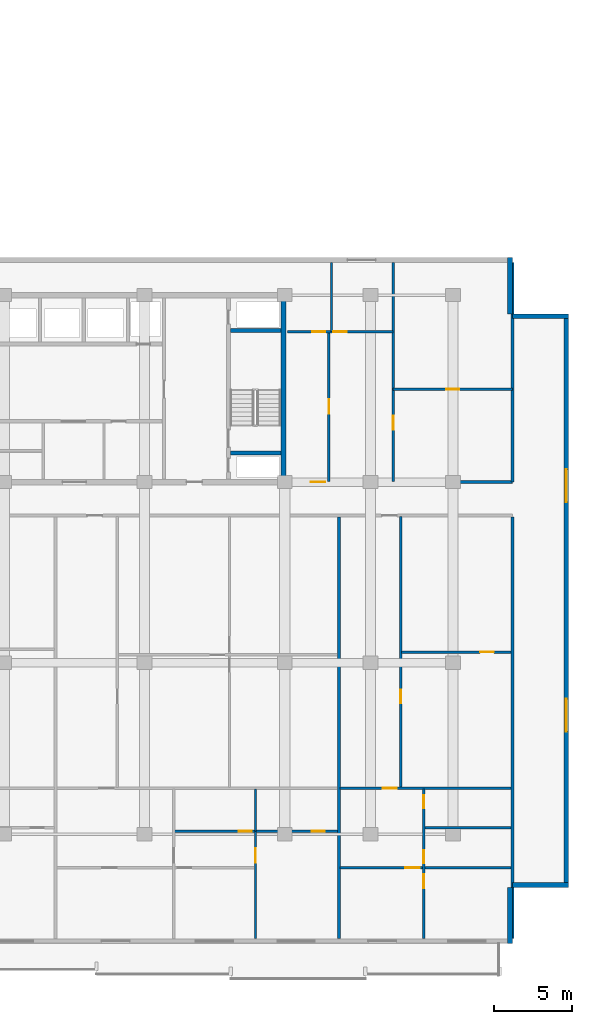
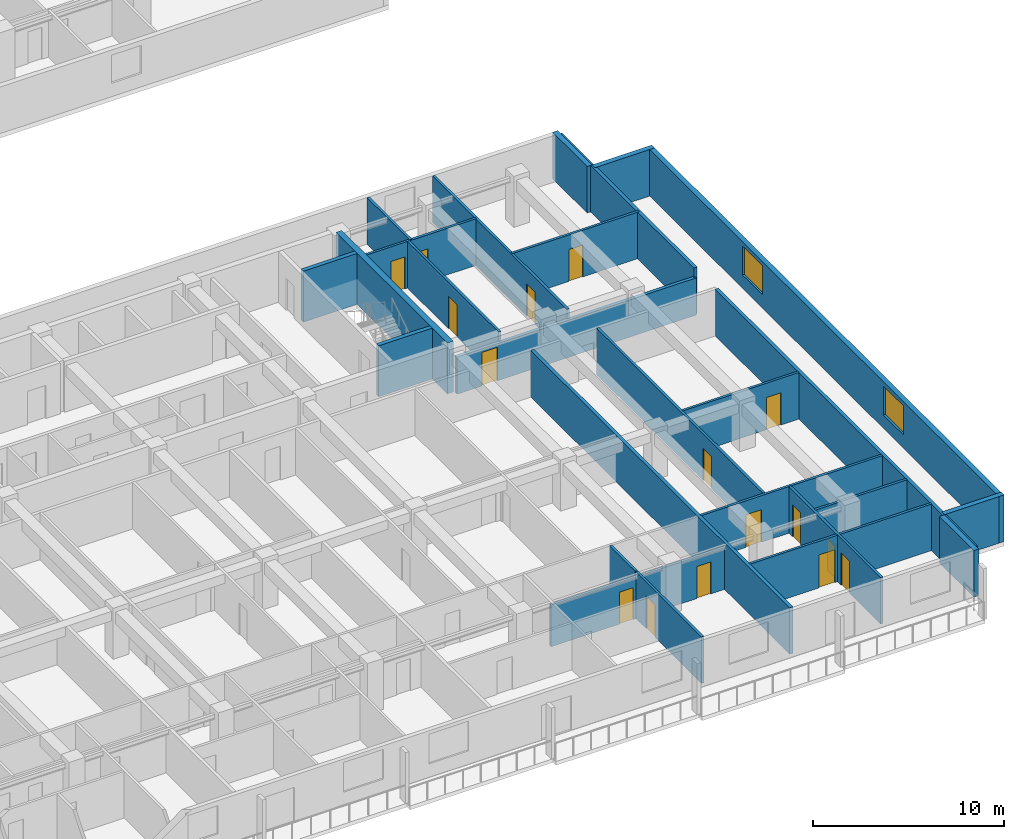
# One storey, part 8 of 23: 26 walls, 16 doors, 2 windows, 18 openings.
"""IFC4 building model written with IfcOpenShell, lengths in metres."""

from ifc_helpers import new_model, si_unit, direction, frame, frame_2d, origin, place, context, subcontext, project, spatial, rectangle, extrude, material, layer, layer_set, type_object, element, fill, save


model = new_model("IFC4")

# Units and contexts
model_context = context("Model", 3, precision=1e-05, world=origin(), true_north=direction((0.0, 1.0)))
body_context = subcontext(model_context, "Body", "Model", "MODEL_VIEW")
ifc_project = project(units=[si_unit("LENGTHUNIT", "METRE"), si_unit("AREAUNIT", "SQUARE_METRE"), si_unit("VOLUMEUNIT", "CUBIC_METRE"), si_unit("PLANEANGLEUNIT", "RADIAN"), si_unit("MASSUNIT", "GRAM", prefix="KILO")], contexts=[model_context])

# Site, building, storey
site_placement = place(None, origin())
site = spatial("IfcSite", under=ifc_project, at=site_placement, CompositionType="ELEMENT")
building_placement = place(site_placement, origin())
building = spatial("IfcBuilding", under=site, at=building_placement, Name="Korimba Cascade Residences", CompositionType="ELEMENT")
storey_placement = place(building_placement, frame((0.0, 0.0, 50.0)))
storey = spatial("IfcBuildingStorey", under=building, at=storey_placement, Name="L13", CompositionType="ELEMENT", Elevation=50.0)

# Walls
ifc_material_1 = material(Name="Precast concrete C40/50", Category="concrete")
ifc_layer_1 = layer(ifc_material_1, 0.300048828125)
ifc_layer_set_1 = layer_set([ifc_layer_1], Name="Precast concrete C40/50")
wall_type_1 = type_object("IfcWallType", Name="EW-STONE-300", PredefinedType="STANDARD", material=ifc_layer_set_1)
wall_1_placement = place(storey_placement, frame((132.550048828125, -11.199951171875, 0.0), z_axis=(0.0, 0.0, 1.0), x_axis=(0.0, 1.0, 0.0)))
element("IfcWall", 1, at=wall_1_placement, inside=storey, type_object=wall_type_1, Name="L13 T2 Perimeter Stone Wall E01", PredefinedType="STANDARD", context=body_context, shape_type="SweptSolid", body=[
    extrude(rectangle(XDim=3.599853515625, YDim=0.300048828125, at=frame_2d((1.7998046875, 0.0))), origin(), (0.0, 0.0, 1.0), 2.969970703125),
])
wall_2_placement = place(storey_placement, frame((132.699951171875, -7.449951171875, 0.0), z_axis=(0.0, 0.0, 1.0), x_axis=(1.0, 0.0, 0.0)))
element("IfcWall", 2, at=wall_2_placement, inside=storey, type_object=wall_type_1, Name="L13 T2 Perimeter Stone Wall E02", PredefinedType="STANDARD", context=body_context, shape_type="SweptSolid", body=[
    extrude(rectangle(XDim=3.60009765625, YDim=0.300048828125, at=frame_2d((1.800048828125, 0.0))), origin(), (0.0, 0.0, 1.0), 2.969970703125),
])

# Wall, openings, windows
wall_3_placement = place(storey_placement, frame((136.14990234375, -7.60009765625, 0.0), z_axis=(0.0, 0.0, 1.0), x_axis=(0.0, 1.0, 0.0)))
wall_3 = element("IfcWall", 3, at=wall_3_placement, inside=storey, type_object=wall_type_1, Name="L13 T2 Perimeter Stone Wall E03", PredefinedType="STANDARD", context=body_context, shape_type="SweptSolid", body=[
    extrude(rectangle(XDim=36.800048828125, YDim=0.300048828125, at=frame_2d((18.39990234375, 0.0))), origin(), (0.0, 0.0, 1.0), 2.969970703125),
])
opening_1_placement = place(wall_3_placement, frame((9.989990234375, 0.0, 0.85009765625)))
opening_1 = element("IfcOpeningElement", 4, at=opening_1_placement, cuts=wall_3, Name="Opening W-03", PredefinedType="OPENING", context=body_context, shape_type="SweptSolid", body=[
    extrude(rectangle(XDim=2.10009765625, YDim=1.85009765625, at=frame_2d((1.050048828125, 0.925048828125))), frame((0.0, 0.16015625, 0.0), z_axis=(0.0, -1.0, 0.0), x_axis=(1.0, 0.0, 0.0)), (0.0, 0.0, 1.0), 0.320068359375),
])
opening_2_placement = place(wall_3_placement, frame((24.7099609375, 0.0, 0.85009765625)))
opening_2 = element("IfcOpeningElement", 5, at=opening_2_placement, cuts=wall_3, Name="Opening W-03", PredefinedType="OPENING", context=body_context, shape_type="SweptSolid", body=[
    extrude(rectangle(XDim=2.10009765625, YDim=1.85009765625, at=frame_2d((1.050048828125, 0.925048828125))), frame((0.0, 0.16015625, 0.0), z_axis=(0.0, -1.0, 0.0), x_axis=(1.0, 0.0, 0.0)), (0.0, 0.0, 1.0), 0.320068359375),
])
ifc_material_2 = material(Name="Double-Glazed Aluminium Window", Category="aluminium")
window_type = type_object("IfcWindowType", Name="WIN-CRN-2100", PartitioningType="DOUBLE_PANEL_HORIZONTAL", PredefinedType="WINDOW", material=ifc_material_2)
window_1_placement = place(opening_1_placement, origin())
window_1 = element("IfcWindow", 6, at=window_1_placement, inside=storey, type_object=window_type, Name="L13 T2 End View Window 3.1", OverallHeight=1.85009765625, OverallWidth=2.10009765625, PartitioningType="DOUBLE_PANEL_HORIZONTAL", PredefinedType="WINDOW", context=body_context, shape_type="SweptSolid", body=[
    extrude(rectangle(XDim=2.10009765625, YDim=1.85009765625, at=frame_2d((1.050048828125, 0.925048828125))), frame((0.0, 0.030029296875, 0.0), z_axis=(0.0, -1.0, 0.0), x_axis=(1.0, 0.0, 0.0)), (0.0, 0.0, 1.0), 0.06005859375),
])
fill(opening_1, window_1)
window_2_placement = place(opening_2_placement, origin())
window_2 = element("IfcWindow", 7, at=window_2_placement, inside=storey, type_object=window_type, Name="L13 T2 End View Window 3.2", OverallHeight=1.85009765625, OverallWidth=2.10009765625, PartitioningType="DOUBLE_PANEL_HORIZONTAL", PredefinedType="WINDOW", context=body_context, shape_type="SweptSolid", body=[
    extrude(rectangle(XDim=2.10009765625, YDim=1.85009765625, at=frame_2d((1.050048828125, 0.925048828125))), frame((0.0, 0.030029296875, 0.0), z_axis=(0.0, -1.0, 0.0), x_axis=(1.0, 0.0, 0.0)), (0.0, 0.0, 1.0), 0.06005859375),
])
fill(opening_2, window_2)

# Walls
for number, where, z_axis, x_axis, name in (
    (8, (136.300048828125, 29.050048828125, 0.0), (0.0, 0.0, 1.0), (-1.0, 0.0, 0.0), "L13 T2 Perimeter Stone Wall E04"),
    (9, (132.550048828125, 29.199951171875, 0.0), (0.0, 0.0, 1.0), (0.0, 1.0, 0.0), "L13 T2 Perimeter Stone Wall E05"),
):
    element("IfcWall", number, at=place(storey_placement, frame(where, z_axis=z_axis, x_axis=x_axis)), inside=storey, type_object=wall_type_1, Name=name, PredefinedType="STANDARD", context=body_context, shape_type="SweptSolid", body=[
        extrude(rectangle(XDim=3.60009765625, YDim=0.300048828125, at=frame_2d((1.800048828125, 0.0))), origin(), (0.0, 0.0, 1.0), 2.969970703125),
    ])
ifc_material_3 = material(Name="Concrete C65/80", Category="concrete")
ifc_layer_2 = layer(ifc_material_3, 0.35009765625)
ifc_layer_set_2 = layer_set([ifc_layer_2], Name="Concrete C65/80")
wall_type_2 = type_object("IfcWallType", Name="WAL-CORE-350", PredefinedType="SHEAR", material=ifc_layer_set_2)
wall_4_placement = place(storey_placement, frame((118.014892578125, 18.574951171875, 0.0), z_axis=(0.0, 0.0, 1.0), x_axis=(0.0, 1.0, 0.0)))
element("IfcWall", 10, at=wall_4_placement, inside=storey, type_object=wall_type_2, Name="L13 Core Shear Wall CW-L13-T2-E", PredefinedType="SHEAR", context=body_context, shape_type="SweptSolid", body=[
    extrude(rectangle(XDim=11.650146484375, YDim=0.35009765625, at=frame_2d((5.8251953125, 0.0))), origin(), (0.0, 0.0, 1.0), 3.25),
])
ifc_layer_3 = layer(ifc_material_1, 0.199951171875)
ifc_layer_set_3 = layer_set([ifc_layer_3], Name="Precast concrete C40/50")
wall_type_3 = type_object("IfcWallType", Name="WAL-IT-200", PredefinedType="PARTITIONING", material=ifc_layer_set_3)
wall_5_placement = place(storey_placement, frame((132.699951171875, 18.39990234375, 0.0), z_axis=(0.0, 0.0, 1.0), x_axis=(0.0, 1.0, 0.0)))
element("IfcWall", 11, at=wall_5_placement, inside=storey, type_object=wall_type_3, Name="L13 Partition Wall WAL-L13-T2-FE-WR", PredefinedType="PARTITIONING", context=body_context, shape_type="SweptSolid", body=[
    extrude(rectangle(XDim=14.10009765625, YDim=0.199951171875, at=frame_2d((7.050048828125, 0.0))), origin(), (0.0, 0.0, 1.0), 2.969970703125),
])

# Wall, opening, door
wall_6_placement = place(storey_placement, frame((118.25, 18.39990234375, 0.0), z_axis=(0.0, 0.0, 1.0), x_axis=(1.0, 0.0, 0.0)))
wall_6 = element("IfcWall", 12, at=wall_6_placement, inside=storey, type_object=wall_type_3, Name="L13 Partition Wall WAL-L13-T2-FE-S", PredefinedType="PARTITIONING", context=body_context, shape_type="SweptSolid", body=[
    extrude(rectangle(XDim=14.449951171875, YDim=0.199951171875, at=frame_2d((7.22509765625, 0.0))), origin(), (0.0, 0.0, 1.0), 2.3701171875),
])
opening_3_placement = place(wall_6_placement, frame((1.510009765625, 0.0, 0.0)))
opening_3 = element("IfcOpeningElement", 13, at=opening_3_placement, cuts=wall_6, Name="Opening D-UN1", PredefinedType="OPENING", context=body_context, shape_type="SweptSolid", body=[
    extrude(rectangle(XDim=0.949951171875, YDim=2.14990234375, at=frame_2d((0.47509765625, 1.074951171875))), frame((0.0, 0.10986328125, 0.0), z_axis=(0.0, -1.0, 0.0), x_axis=(1.0, 0.0, 0.0)), (0.0, 0.0, 1.0), 0.219970703125),
])
ifc_material_4 = material(Name="Fire-Rated Hardwood Apartment Entrance Door", Category="wood")
door_type_1 = type_object("IfcDoorType", Name="DR-FD60-950", OperationType="NOTDEFINED", PredefinedType="DOOR", material=ifc_material_4)
door_1_placement = place(opening_3_placement, origin())
door_1 = element("IfcDoor", 14, at=door_1_placement, inside=storey, type_object=door_type_1, Name="L13-T2-FE Entrance Door", OperationType="SINGLE_SWING_LEFT", OverallHeight=2.14990234375, OverallWidth=0.949951171875, PredefinedType="DOOR", context=body_context, shape_type="SweptSolid", body=[
    extrude(rectangle(XDim=0.949951171875, YDim=2.14990234375, at=frame_2d((0.47509765625, 1.074951171875))), frame((0.0, 0.02490234375, 0.0), z_axis=(0.0, -1.0, 0.0), x_axis=(1.0, 0.0, 0.0)), (0.0, 0.0, 1.0), 0.050048828125),
])
fill(opening_3, door_1)

# Walls
for number, where, z_axis, x_axis, name in (
    (15, (132.699951171875, -10.89990234375, 0.0), (0.0, 0.0, 1.0), (0.0, 1.0, 0.0), "L13 Partition Wall WAL-L13-T2-BNDWR"),
    (16, (121.570068359375, -10.89990234375, 0.0), (0.0, 0.0, 1.0), (0.0, 1.0, 0.0), "L13 Partition Wall WAL-L13-T2-DEM-3"),
):
    element("IfcWall", number, at=place(storey_placement, frame(where, z_axis=z_axis, x_axis=x_axis)), inside=storey, type_object=wall_type_3, Name=name, PredefinedType="PARTITIONING", context=body_context, shape_type="SweptSolid", body=[
        extrude(rectangle(XDim=27.06982421875, YDim=0.199951171875, at=frame_2d((13.534912109375, 0.0))), origin(), (0.0, 0.0, 1.0), 2.969970703125),
    ])

# Wall, opening, door
ifc_material_5 = material(Name="Insulated Acoustic Stud Partition", Category="gypsum")
ifc_layer_4 = layer(ifc_material_5, 0.14990234375)
ifc_layer_set_4 = layer_set([ifc_layer_4], Name="Insulated Acoustic Stud Partition")
wall_type_4 = type_object("IfcWallType", Name="WAL-PART-150", PredefinedType="PARTITIONING", material=ifc_layer_set_4)
wall_7_placement = place(storey_placement, frame((125.050048828125, 24.35009765625, 0.0), z_axis=(0.0, 0.0, 1.0), x_axis=(1.0, 0.0, 0.0)))
wall_7 = element("IfcWall", 17, at=wall_7_placement, inside=storey, type_object=wall_type_4, Name="L13 Partition Wall WAL-L13-T2-FE-STH", PredefinedType="PARTITIONING", context=body_context, shape_type="SweptSolid", body=[
    extrude(rectangle(XDim=7.64990234375, YDim=0.14990234375, at=frame_2d((3.824951171875, 0.0))), origin(), (0.0, 0.0, 1.0), 2.969970703125),
])
opening_4_placement = place(wall_7_placement, frame((3.405029296875, 0.0, 0.0)))
opening_4 = element("IfcOpeningElement", 18, at=opening_4_placement, cuts=wall_7, Name="Opening D-BT1", PredefinedType="OPENING", context=body_context, shape_type="SweptSolid", body=[
    extrude(rectangle(XDim=0.840087890625, YDim=2.0400390625, at=frame_2d((0.419921875, 1.02001953125))), frame((0.0, 0.0849609375, 0.0), z_axis=(0.0, -1.0, 0.0), x_axis=(1.0, 0.0, 0.0)), (0.0, 0.0, 1.0), 0.169921875),
])
ifc_material_6 = material(Name="Moisture-Resistant Bathroom Timber Door", Category="wood")
door_type_2 = type_object("IfcDoorType", Name="DR-INT-850", OperationType="NOTDEFINED", PredefinedType="DOOR", material=ifc_material_6)
door_2_placement = place(opening_4_placement, origin())
door_2 = element("IfcDoor", 19, at=door_2_placement, inside=storey, type_object=door_type_2, Name="L13-T2-FE Dressing Store Door", OperationType="SINGLE_SWING_RIGHT", OverallHeight=2.0400390625, OverallWidth=0.840087890625, PredefinedType="DOOR", context=body_context, shape_type="SweptSolid", body=[
    extrude(rectangle(XDim=0.840087890625, YDim=2.0400390625, at=frame_2d((0.419921875, 1.02001953125))), frame((0.0, 0.02490234375, 0.0), z_axis=(0.0, -1.0, 0.0), x_axis=(1.0, 0.0, 0.0)), (0.0, 0.0, 1.0), 0.050048828125),
])
fill(opening_4, door_2)

wall_8_placement = place(storey_placement, frame((125.050048828125, 18.449951171875, 0.0), z_axis=(0.0, 0.0, 1.0), x_axis=(0.0, 1.0, 0.0)))
wall_8 = element("IfcWall", 20, at=wall_8_placement, inside=storey, type_object=wall_type_4, Name="L13 Partition Wall WAL-L13-T2-FE-STV", PredefinedType="PARTITIONING", context=body_context, shape_type="SweptSolid", body=[
    extrude(rectangle(XDim=14.050048828125, YDim=0.14990234375, at=frame_2d((7.02490234375, 0.0))), origin(), (0.0, 0.0, 1.0), 2.969970703125),
])
opening_5_placement = place(wall_8_placement, frame((3.320068359375, 0.0, 0.0)))
opening_5 = element("IfcOpeningElement", 21, at=opening_5_placement, cuts=wall_8, Name="Opening D-IN2", PredefinedType="OPENING", context=body_context, shape_type="SweptSolid", body=[
    extrude(rectangle(XDim=0.8798828125, YDim=2.06005859375, at=frame_2d((0.43994140625, 1.030029296875))), frame((0.0, 0.0849609375, 0.0), z_axis=(0.0, -1.0, 0.0), x_axis=(1.0, 0.0, 0.0)), (0.0, 0.0, 1.0), 0.169921875),
])
ifc_material_7 = material(Name="Acoustic Timber Bedroom Door", Category="wood")
door_type_3 = type_object("IfcDoorType", Name="DR-INT-880", OperationType="NOTDEFINED", PredefinedType="DOOR", material=ifc_material_7)
door_3_placement = place(opening_5_placement, origin())
door_3 = element("IfcDoor", 22, at=door_3_placement, inside=storey, type_object=door_type_3, Name="L13-T2-FE Study Door", OperationType="SINGLE_SWING_LEFT", OverallHeight=2.06005859375, OverallWidth=0.8798828125, PredefinedType="DOOR", context=body_context, shape_type="SweptSolid", body=[
    extrude(rectangle(XDim=0.8798828125, YDim=2.06005859375, at=frame_2d((0.43994140625, 1.030029296875))), frame((0.0, 0.02490234375, 0.0), z_axis=(0.0, -1.0, 0.0), x_axis=(1.0, 0.0, 0.0)), (0.0, 0.0, 1.0), 0.050048828125),
])
fill(opening_5, door_3)

wall_9_placement = place(storey_placement, frame((120.929931640625, 18.449951171875, 0.0), z_axis=(0.0, 0.0, 1.0), x_axis=(0.0, 1.0, 0.0)))
wall_9 = element("IfcWall", 23, at=wall_9_placement, inside=storey, type_object=wall_type_4, Name="L13 Partition Wall WAL-L13-T2-FE-VS", PredefinedType="PARTITIONING", context=body_context, shape_type="SweptSolid", body=[
    extrude(rectangle(XDim=9.60009765625, YDim=0.14990234375, at=frame_2d((4.800048828125, 0.0))), origin(), (0.0, 0.0, 1.0), 2.969970703125),
])
opening_6_placement = place(wall_9_placement, frame((4.340087890625, 0.0, 0.0)))
opening_6 = element("IfcOpeningElement", 24, at=opening_6_placement, cuts=wall_9, Name="Opening D-IN1", PredefinedType="OPENING", context=body_context, shape_type="SweptSolid", body=[
    extrude(rectangle(XDim=0.919921875, YDim=2.080078125, at=frame_2d((0.4599609375, 1.0400390625))), frame((0.0, 0.0849609375, 0.0), z_axis=(0.0, -1.0, 0.0), x_axis=(1.0, 0.0, 0.0)), (0.0, 0.0, 1.0), 0.169921875),
])
ifc_material_8 = material(Name="Acoustic Timber Living Door", Category="wood")
door_type_4 = type_object("IfcDoorType", Name="DR-INT-920", OperationType="NOTDEFINED", PredefinedType="DOOR", material=ifc_material_8)
door_4_placement = place(opening_6_placement, origin())
door_4 = element("IfcDoor", 25, at=door_4_placement, inside=storey, type_object=door_type_4, Name="L13-T2-FE Living Door", OperationType="SINGLE_SWING_RIGHT", OverallHeight=2.080078125, OverallWidth=0.919921875, PredefinedType="DOOR", context=body_context, shape_type="SweptSolid", body=[
    extrude(rectangle(XDim=0.919921875, YDim=2.080078125, at=frame_2d((0.4599609375, 1.0400390625))), frame((0.0, 0.02490234375, 0.0), z_axis=(0.0, -1.0, 0.0), x_axis=(1.0, 0.0, 0.0)), (0.0, 0.0, 1.0), 0.050048828125),
])
fill(opening_6, door_4)

# Wall
wall_10_placement = place(storey_placement, frame((121.10009765625, 28.050048828125, 0.0), z_axis=(0.0, 0.0, 1.0), x_axis=(0.0, 1.0, 0.0)))
element("IfcWall", 26, at=wall_10_placement, inside=storey, type_object=wall_type_4, Name="L13 Partition Wall WAL-L13-T2-FE-VN", PredefinedType="PARTITIONING", context=body_context, shape_type="SweptSolid", body=[
    extrude(rectangle(XDim=4.449951171875, YDim=0.14990234375, at=frame_2d((2.22509765625, 0.0))), origin(), (0.0, 0.0, 1.0), 2.969970703125),
])

# Wall, openings, doors
wall_11_placement = place(storey_placement, frame((118.27001953125, 28.050048828125, 0.0), z_axis=(0.0, 0.0, 1.0), x_axis=(1.0, 0.0, 0.0)))
wall_11 = element("IfcWall", 27, at=wall_11_placement, inside=storey, type_object=wall_type_4, Name="L13 Partition Wall WAL-L13-T2-FE-H", PredefinedType="PARTITIONING", context=body_context, shape_type="SweptSolid", body=[
    extrude(rectangle(XDim=6.760009765625, YDim=0.14990234375, at=frame_2d((3.3798828125, 0.0))), origin(), (0.0, 0.0, 1.0), 2.969970703125),
])
opening_7_placement = place(wall_11_placement, frame((1.58740234375, 0.0, 0.0)))
opening_7 = element("IfcOpeningElement", 28, at=opening_7_placement, cuts=wall_11, Name="Opening D-BT1", PredefinedType="OPENING", context=body_context, shape_type="SweptSolid", body=[
    extrude(rectangle(XDim=0.840087890625, YDim=2.0400390625, at=frame_2d((0.419921875, 1.02001953125))), frame((0.0, 0.0849609375, 0.0), z_axis=(0.0, -1.0, 0.0), x_axis=(1.0, 0.0, 0.0)), (0.0, 0.0, 1.0), 0.169921875),
])
opening_8_placement = place(wall_11_placement, frame((2.93408203125, 0.0, 0.0)))
opening_8 = element("IfcOpeningElement", 29, at=opening_8_placement, cuts=wall_11, Name="Opening D-IN2", PredefinedType="OPENING", context=body_context, shape_type="SweptSolid", body=[
    extrude(rectangle(XDim=0.8798828125, YDim=2.06005859375, at=frame_2d((0.43994140625, 1.030029296875))), frame((0.0, 0.0849609375, 0.0), z_axis=(0.0, -1.0, 0.0), x_axis=(1.0, 0.0, 0.0)), (0.0, 0.0, 1.0), 0.169921875),
])
door_5_placement = place(opening_7_placement, origin())
door_5 = element("IfcDoor", 30, at=door_5_placement, inside=storey, type_object=door_type_2, Name="L13-T2-FE Bathroom Door", OperationType="SINGLE_SWING_LEFT", OverallHeight=2.0400390625, OverallWidth=0.840087890625, PredefinedType="DOOR", context=body_context, shape_type="SweptSolid", body=[
    extrude(rectangle(XDim=0.840087890625, YDim=2.0400390625, at=frame_2d((0.419921875, 1.02001953125))), frame((0.0, 0.02490234375, 0.0), z_axis=(0.0, -1.0, 0.0), x_axis=(1.0, 0.0, 0.0)), (0.0, 0.0, 1.0), 0.050048828125),
])
fill(opening_7, door_5)
door_6_placement = place(opening_8_placement, origin())
door_6 = element("IfcDoor", 31, at=door_6_placement, inside=storey, type_object=door_type_3, Name="L13-T2-FE Bedroom Door", OperationType="SINGLE_SWING_RIGHT", OverallHeight=2.06005859375, OverallWidth=0.8798828125, PredefinedType="DOOR", context=body_context, shape_type="SweptSolid", body=[
    extrude(rectangle(XDim=0.8798828125, YDim=2.06005859375, at=frame_2d((0.43994140625, 1.030029296875))), frame((0.0, 0.02490234375, 0.0), z_axis=(0.0, -1.0, 0.0), x_axis=(1.0, 0.0, 0.0)), (0.0, 0.0, 1.0), 0.050048828125),
])
fill(opening_8, door_6)

# Wall
wall_12_placement = place(storey_placement, frame((116.219970703125, -3.97998046875, 0.0), z_axis=(0.0, 0.0, 1.0), x_axis=(0.0, 1.0, 0.0)))
element("IfcWall", 32, at=wall_12_placement, inside=storey, type_object=wall_type_4, Name="L13 Partition Wall WAL-L13-T2-U03-VBATH", PredefinedType="PARTITIONING", context=body_context, shape_type="SweptSolid", body=[
    extrude(rectangle(XDim=2.68994140625, YDim=0.14990234375, at=frame_2d((1.344970703125, 0.0))), origin(), (0.0, 0.0, 1.0), 2.969970703125),
])

# Wall, opening, door
wall_13_placement = place(storey_placement, frame((116.219970703125, -10.89990234375, 0.0), z_axis=(0.0, 0.0, 1.0), x_axis=(0.0, 1.0, 0.0)))
wall_13 = element("IfcWall", 33, at=wall_13_placement, inside=storey, type_object=wall_type_4, Name="L13 Partition Wall WAL-L13-T2-U03-V2FULL", PredefinedType="PARTITIONING", context=body_context, shape_type="SweptSolid", body=[
    extrude(rectangle(XDim=6.8798828125, YDim=0.14990234375, at=frame_2d((3.43994140625, 0.0))), origin(), (0.0, 0.0, 1.0), 2.969970703125),
])
opening_9_placement = place(wall_13_placement, frame((4.8701171875, 0.0, 0.0)))
opening_9 = element("IfcOpeningElement", 34, at=opening_9_placement, cuts=wall_13, Name="Opening D-IN1", PredefinedType="OPENING", context=body_context, shape_type="SweptSolid", body=[
    extrude(rectangle(XDim=0.919921875, YDim=2.080078125, at=frame_2d((0.4599609375, 1.0400390625))), frame((0.0, 0.0849609375, 0.0), z_axis=(0.0, -1.0, 0.0), x_axis=(1.0, 0.0, 0.0)), (0.0, 0.0, 1.0), 0.169921875),
])
door_7_placement = place(opening_9_placement, origin())
door_7 = element("IfcDoor", 35, at=door_7_placement, inside=storey, type_object=door_type_4, Name="L13-T2-U03 Master Bedroom Door", OperationType="SINGLE_SWING_LEFT", OverallHeight=2.080078125, OverallWidth=0.919921875, PredefinedType="DOOR", context=body_context, shape_type="SweptSolid", body=[
    extrude(rectangle(XDim=0.919921875, YDim=2.080078125, at=frame_2d((0.4599609375, 1.0400390625))), frame((0.0, 0.02490234375, 0.0), z_axis=(0.0, -1.0, 0.0), x_axis=(1.0, 0.0, 0.0)), (0.0, 0.0, 1.0), 0.050048828125),
])
fill(opening_9, door_7)

# Wall, openings, doors
wall_14_placement = place(storey_placement, frame((111.02001953125, -4.0, 0.0), z_axis=(0.0, 0.0, 1.0), x_axis=(1.0, 0.0, 0.0)))
wall_14 = element("IfcWall", 36, at=wall_14_placement, inside=storey, type_object=wall_type_4, Name="L13 Partition Wall WAL-L13-T2-U03-HWALL", PredefinedType="PARTITIONING", context=body_context, shape_type="SweptSolid", body=[
    extrude(rectangle(XDim=10.469970703125, YDim=0.14990234375, at=frame_2d((5.23486328125, 0.0))), origin(), (0.0, 0.0, 1.0), 2.663330078125),
])
opening_10_placement = place(wall_14_placement, frame((4.110107421875, 0.0, 0.0)))
opening_10 = element("IfcOpeningElement", 37, at=opening_10_placement, cuts=wall_14, Name="Opening D-BT1", PredefinedType="OPENING", context=body_context, shape_type="SweptSolid", body=[
    extrude(rectangle(XDim=0.840087890625, YDim=2.0400390625, at=frame_2d((0.419921875, 1.02001953125))), frame((0.0, 0.0849609375, 0.0), z_axis=(0.0, -1.0, 0.0), x_axis=(1.0, 0.0, 0.0)), (0.0, 0.0, 1.0), 0.169921875),
])
opening_11_placement = place(wall_14_placement, frame((8.79541015625, 0.0, 0.0)))
opening_11 = element("IfcOpeningElement", 38, at=opening_11_placement, cuts=wall_14, Name="Opening D-BT1", PredefinedType="OPENING", context=body_context, shape_type="SweptSolid", body=[
    extrude(rectangle(XDim=0.840087890625, YDim=2.0400390625, at=frame_2d((0.419921875, 1.02001953125))), frame((0.0, 0.0849609375, 0.0), z_axis=(0.0, -1.0, 0.0), x_axis=(1.0, 0.0, 0.0)), (0.0, 0.0, 1.0), 0.169921875),
])
door_8_placement = place(opening_10_placement, origin())
door_8 = element("IfcDoor", 39, at=door_8_placement, inside=storey, type_object=door_type_2, Name="L13-T2-U03 Family Bathroom Door", OperationType="SINGLE_SWING_RIGHT", OverallHeight=2.0400390625, OverallWidth=0.840087890625, PredefinedType="DOOR", context=body_context, shape_type="SweptSolid", body=[
    extrude(rectangle(XDim=0.840087890625, YDim=2.0400390625, at=frame_2d((0.419921875, 1.02001953125))), frame((0.0, 0.02490234375, 0.0), z_axis=(0.0, -1.0, 0.0), x_axis=(1.0, 0.0, 0.0)), (0.0, 0.0, 1.0), 0.050048828125),
])
fill(opening_10, door_8)
door_9_placement = place(opening_11_placement, origin())
door_9 = element("IfcDoor", 40, at=door_9_placement, inside=storey, type_object=door_type_2, Name="L13-T2-U03 En-Suite Door", OperationType="SINGLE_SWING_LEFT", OverallHeight=2.0400390625, OverallWidth=0.840087890625, PredefinedType="DOOR", context=body_context, shape_type="SweptSolid", body=[
    extrude(rectangle(XDim=0.840087890625, YDim=2.0400390625, at=frame_2d((0.419921875, 1.02001953125))), frame((0.0, 0.02490234375, 0.0), z_axis=(0.0, -1.0, 0.0), x_axis=(1.0, 0.0, 0.0)), (0.0, 0.0, 1.0), 0.050048828125),
])
fill(opening_11, door_9)

# Wall, opening, door
wall_15_placement = place(storey_placement, frame((125.60009765625, 7.489990234375, 0.0), z_axis=(0.0, 0.0, 1.0), x_axis=(1.0, 0.0, 0.0)))
wall_15 = element("IfcWall", 41, at=wall_15_placement, inside=storey, type_object=wall_type_4, Name="L13 Partition Wall WAL-L13-T2-U04-FMH", PredefinedType="PARTITIONING", context=body_context, shape_type="SweptSolid", body=[
    extrude(rectangle(XDim=7.02001953125, YDim=0.14990234375, at=frame_2d((3.510009765625, 0.0))), origin(), (0.0, 0.0, 1.0), 2.969970703125),
])
opening_12_placement = place(wall_15_placement, frame((5.0283203125, 0.0, 0.0)))
opening_12 = element("IfcOpeningElement", 42, at=opening_12_placement, cuts=wall_15, Name="Opening D-IN2", PredefinedType="OPENING", context=body_context, shape_type="SweptSolid", body=[
    extrude(rectangle(XDim=0.8798828125, YDim=2.06005859375, at=frame_2d((0.43994140625, 1.030029296875))), frame((0.0, 0.0849609375, 0.0), z_axis=(0.0, -1.0, 0.0), x_axis=(1.0, 0.0, 0.0)), (0.0, 0.0, 1.0), 0.169921875),
])
door_10_placement = place(opening_12_placement, origin())
door_10 = element("IfcDoor", 43, at=door_10_placement, inside=storey, type_object=door_type_3, Name="L13-T2-U04 Library Salon Door", OperationType="SINGLE_SWING_LEFT", OverallHeight=2.06005859375, OverallWidth=0.8798828125, PredefinedType="DOOR", context=body_context, shape_type="SweptSolid", body=[
    extrude(rectangle(XDim=0.8798828125, YDim=2.06005859375, at=frame_2d((0.43994140625, 1.030029296875))), frame((0.0, 0.02490234375, 0.0), z_axis=(0.0, -1.0, 0.0), x_axis=(1.0, 0.0, 0.0)), (0.0, 0.0, 1.0), 0.050048828125),
])
fill(opening_12, door_10)

wall_16_placement = place(storey_placement, frame((125.5400390625, -1.2099609375, 0.0), z_axis=(0.0, 0.0, 1.0), x_axis=(0.0, 1.0, 0.0)))
wall_16 = element("IfcWall", 44, at=wall_16_placement, inside=storey, type_object=wall_type_4, Name="L13 Partition Wall WAL-L13-T2-U04-FV", PredefinedType="PARTITIONING", context=body_context, shape_type="SweptSolid", body=[
    extrude(rectangle(XDim=17.39990234375, YDim=0.14990234375, at=frame_2d((8.699951171875, 0.0))), origin(), (0.0, 0.0, 1.0), 2.969970703125),
])
opening_13_placement = place(wall_16_placement, frame((5.404052734375, 0.0, 0.0)))
opening_13 = element("IfcOpeningElement", 45, at=opening_13_placement, cuts=wall_16, Name="Opening D-IN2", PredefinedType="OPENING", context=body_context, shape_type="SweptSolid", body=[
    extrude(rectangle(XDim=0.8798828125, YDim=2.06005859375, at=frame_2d((0.43994140625, 1.030029296875))), frame((0.0, 0.0849609375, 0.0), z_axis=(0.0, -1.0, 0.0), x_axis=(1.0, 0.0, 0.0)), (0.0, 0.0, 1.0), 0.169921875),
])
door_11_placement = place(opening_13_placement, origin())
door_11 = element("IfcDoor", 46, at=door_11_placement, inside=storey, type_object=door_type_3, Name="L13-T2-U04 Media Lounge Door", OperationType="SINGLE_SWING_RIGHT", OverallHeight=2.06005859375, OverallWidth=0.8798828125, PredefinedType="DOOR", context=body_context, shape_type="SweptSolid", body=[
    extrude(rectangle(XDim=0.8798828125, YDim=2.06005859375, at=frame_2d((0.43994140625, 1.030029296875))), frame((0.0, 0.02490234375, 0.0), z_axis=(0.0, -1.0, 0.0), x_axis=(1.0, 0.0, 0.0)), (0.0, 0.0, 1.0), 0.050048828125),
])
fill(opening_13, door_11)

# Wall
wall_17_placement = place(storey_placement, frame((127.080078125, -3.7900390625, 0.0), z_axis=(0.0, 0.0, 1.0), x_axis=(1.0, 0.0, 0.0)))
element("IfcWall", 47, at=wall_17_placement, inside=storey, type_object=wall_type_4, Name="L13 Partition Wall WAL-L13-T2-U04-BLDIV", PredefinedType="PARTITIONING", context=body_context, shape_type="SweptSolid", body=[
    extrude(rectangle(XDim=5.5400390625, YDim=0.14990234375, at=frame_2d((2.77001953125, 0.0))), origin(), (0.0, 0.0, 1.0), 2.969970703125),
])

# Wall, openings, doors
wall_18_placement = place(storey_placement, frame((127.02001953125, -10.89990234375, 0.0), z_axis=(0.0, 0.0, 1.0), x_axis=(0.0, 1.0, 0.0)))
wall_18 = element("IfcWall", 48, at=wall_18_placement, inside=storey, type_object=wall_type_4, Name="L13 Partition Wall WAL-L13-T2-U04-V1", PredefinedType="PARTITIONING", context=body_context, shape_type="SweptSolid", body=[
    extrude(rectangle(XDim=9.60986328125, YDim=0.14990234375, at=frame_2d((4.804931640625, 0.0))), origin(), (0.0, 0.0, 1.0), 2.969970703125),
])
opening_14_placement = place(wall_18_placement, frame((4.85009765625, 0.0, 0.0)))
opening_14 = element("IfcOpeningElement", 49, at=opening_14_placement, cuts=wall_18, Name="Opening D-BT1", PredefinedType="OPENING", context=body_context, shape_type="SweptSolid", body=[
    extrude(rectangle(XDim=0.840087890625, YDim=2.0400390625, at=frame_2d((0.419921875, 1.02001953125))), frame((0.0, 0.0849609375, 0.0), z_axis=(0.0, -1.0, 0.0), x_axis=(1.0, 0.0, 0.0)), (0.0, 0.0, 1.0), 0.169921875),
])
opening_15_placement = place(wall_18_placement, frame((8.3564453125, 0.0, 0.0)))
opening_15 = element("IfcOpeningElement", 50, at=opening_15_placement, cuts=wall_18, Name="Opening D-BT1", PredefinedType="OPENING", context=body_context, shape_type="SweptSolid", body=[
    extrude(rectangle(XDim=0.840087890625, YDim=2.0400390625, at=frame_2d((0.419921875, 1.02001953125))), frame((0.0, 0.0849609375, 0.0), z_axis=(0.0, -1.0, 0.0), x_axis=(1.0, 0.0, 0.0)), (0.0, 0.0, 1.0), 0.169921875),
])
opening_16_placement = place(wall_18_placement, frame((3.25, 0.0, 0.0)))
opening_16 = element("IfcOpeningElement", 51, at=opening_16_placement, cuts=wall_18, Name="Opening D-IN2", PredefinedType="OPENING", context=body_context, shape_type="SweptSolid", body=[
    extrude(rectangle(XDim=0.8798828125, YDim=2.06005859375, at=frame_2d((0.43994140625, 1.030029296875))), frame((0.0, 0.0849609375, 0.0), z_axis=(0.0, -1.0, 0.0), x_axis=(1.0, 0.0, 0.0)), (0.0, 0.0, 1.0), 0.169921875),
])
door_12_placement = place(opening_14_placement, origin())
door_12 = element("IfcDoor", 52, at=door_12_placement, inside=storey, type_object=door_type_2, Name="L13-T2-U04 Bathroom Door", OperationType="SINGLE_SWING_LEFT", OverallHeight=2.0400390625, OverallWidth=0.840087890625, PredefinedType="DOOR", context=body_context, shape_type="SweptSolid", body=[
    extrude(rectangle(XDim=0.840087890625, YDim=2.0400390625, at=frame_2d((0.419921875, 1.02001953125))), frame((0.0, 0.02490234375, 0.0), z_axis=(0.0, -1.0, 0.0), x_axis=(1.0, 0.0, 0.0)), (0.0, 0.0, 1.0), 0.050048828125),
])
fill(opening_14, door_12)
door_13_placement = place(opening_15_placement, origin())
door_13 = element("IfcDoor", 53, at=door_13_placement, inside=storey, type_object=door_type_2, Name="L13-T2-U04 Laundry Door", OperationType="SINGLE_SWING_RIGHT", OverallHeight=2.0400390625, OverallWidth=0.840087890625, PredefinedType="DOOR", context=body_context, shape_type="SweptSolid", body=[
    extrude(rectangle(XDim=0.840087890625, YDim=2.0400390625, at=frame_2d((0.419921875, 1.02001953125))), frame((0.0, 0.02490234375, 0.0), z_axis=(0.0, -1.0, 0.0), x_axis=(1.0, 0.0, 0.0)), (0.0, 0.0, 1.0), 0.050048828125),
])
fill(opening_15, door_13)
door_14_placement = place(opening_16_placement, origin())
door_14 = element("IfcDoor", 54, at=door_14_placement, inside=storey, type_object=door_type_3, Name="L13-T2-U04 Bedroom 1 Door", OperationType="SINGLE_SWING_LEFT", OverallHeight=2.06005859375, OverallWidth=0.8798828125, PredefinedType="DOOR", context=body_context, shape_type="SweptSolid", body=[
    extrude(rectangle(XDim=0.8798828125, YDim=2.06005859375, at=frame_2d((0.43994140625, 1.030029296875))), frame((0.0, 0.02490234375, 0.0), z_axis=(0.0, -1.0, 0.0), x_axis=(1.0, 0.0, 0.0)), (0.0, 0.0, 1.0), 0.050048828125),
])
fill(opening_16, door_14)

# Wall, opening, door
wall_19_placement = place(storey_placement, frame((121.650146484375, -1.25, 0.0), z_axis=(0.0, 0.0, 1.0), x_axis=(1.0, 0.0, 0.0)))
wall_19 = element("IfcWall", 55, at=wall_19_placement, inside=storey, type_object=wall_type_4, Name="L13 Partition Wall WAL-L13-T2-U04-MW", PredefinedType="PARTITIONING", context=body_context, shape_type="SweptSolid", body=[
    extrude(rectangle(XDim=10.969970703125, YDim=0.14990234375, at=frame_2d((5.48486328125, 0.0))), origin(), (0.0, 0.0, 1.0), 2.969970703125),
])
opening_17_placement = place(wall_19_placement, frame((2.719970703125, 0.0, 0.0)))
opening_17 = element("IfcOpeningElement", 56, at=opening_17_placement, cuts=wall_19, Name="Opening D-IN1", PredefinedType="OPENING", context=body_context, shape_type="SweptSolid", body=[
    extrude(rectangle(XDim=0.919921875, YDim=2.080078125, at=frame_2d((0.4599609375, 1.0400390625))), frame((0.0, 0.0849609375, 0.0), z_axis=(0.0, -1.0, 0.0), x_axis=(1.0, 0.0, 0.0)), (0.0, 0.0, 1.0), 0.169921875),
])
door_15_placement = place(opening_17_placement, origin())
door_15 = element("IfcDoor", 57, at=door_15_placement, inside=storey, type_object=door_type_4, Name="L13-T2-U04 Kitchen Archway Door", OperationType="SINGLE_SWING_RIGHT", OverallHeight=2.080078125, OverallWidth=0.919921875, PredefinedType="DOOR", context=body_context, shape_type="SweptSolid", body=[
    extrude(rectangle(XDim=0.919921875, YDim=2.080078125, at=frame_2d((0.4599609375, 1.0400390625))), frame((0.0, 0.02490234375, 0.0), z_axis=(0.0, -1.0, 0.0), x_axis=(1.0, 0.0, 0.0)), (0.0, 0.0, 1.0), 0.050048828125),
])
fill(opening_17, door_15)

wall_20_placement = place(storey_placement, frame((121.650146484375, -6.35009765625, 0.0), z_axis=(0.0, 0.0, 1.0), x_axis=(1.0, 0.0, 0.0)))
wall_20 = element("IfcWall", 58, at=wall_20_placement, inside=storey, type_object=wall_type_4, Name="L13 Partition Wall WAL-L13-T2-U04-HZ", PredefinedType="PARTITIONING", context=body_context, shape_type="SweptSolid", body=[
    extrude(rectangle(XDim=10.969970703125, YDim=0.14990234375, at=frame_2d((5.48486328125, 0.0))), origin(), (0.0, 0.0, 1.0), 2.969970703125),
])
opening_18_placement = place(wall_20_placement, frame((4.179931640625, 0.0, 0.0)))
opening_18 = element("IfcOpeningElement", 59, at=opening_18_placement, cuts=wall_20, Name="Opening D-IN0", PredefinedType="OPENING", context=body_context, shape_type="SweptSolid", body=[
    extrude(rectangle(XDim=0.93994140625, YDim=2.10009765625, at=frame_2d((0.469970703125, 1.050048828125))), frame((0.0, 0.0849609375, 0.0), z_axis=(0.0, -1.0, 0.0), x_axis=(1.0, 0.0, 0.0)), (0.0, 0.0, 1.0), 0.169921875),
])
ifc_material_9 = material(Name="Acoustic Timber Living Archway Door", Category="wood")
door_type_5 = type_object("IfcDoorType", Name="DR-INT-950", OperationType="NOTDEFINED", PredefinedType="DOOR", material=ifc_material_9)
door_16_placement = place(opening_18_placement, origin())
door_16 = element("IfcDoor", 60, at=door_16_placement, inside=storey, type_object=door_type_5, Name="L13-T2-U04 Living Archway Door", OperationType="SINGLE_SWING_LEFT", OverallHeight=2.10009765625, OverallWidth=0.93994140625, PredefinedType="DOOR", context=body_context, shape_type="SweptSolid", body=[
    extrude(rectangle(XDim=0.93994140625, YDim=2.10009765625, at=frame_2d((0.469970703125, 1.050048828125))), frame((0.0, 0.02490234375, 0.0), z_axis=(0.0, -1.0, 0.0), x_axis=(1.0, 0.0, 0.0)), (0.0, 0.0, 1.0), 0.050048828125),
])
fill(opening_18, door_16)

# Walls
ifc_material_10 = material(Name="Concrete C50/60", Category="concrete")
ifc_layer_5 = layer(ifc_material_10, 0.25)
ifc_layer_set_5 = layer_set([ifc_layer_5], Name="Concrete C50/60")
wall_type_5 = type_object("IfcWallType", Name="WAL-SHAFT-250", PredefinedType="SHEAR", material=ifc_layer_set_5)
for number, where, z_axis, x_axis, name in (
    (61, (114.60009765625, 20.27490234375, 0.0), (0.0, 0.0, 1.0), (1.0, 0.0, 0.0), "L13 Core Shear Wall CW-L13-T2-STE2S"),
    (62, (114.60009765625, 28.125, 0.0), (0.0, 0.0, 1.0), (1.0, 0.0, 0.0), "L13 Core Shear Wall CW-L13-T2-STE2N"),
):
    element("IfcWall", number, at=place(storey_placement, frame(where, z_axis=z_axis, x_axis=x_axis)), inside=storey, type_object=wall_type_5, Name=name, PredefinedType="SHEAR", context=body_context, shape_type="SweptSolid", body=[
        extrude(rectangle(XDim=3.239990234375, YDim=0.25, at=frame_2d((1.6201171875, 0.0))), origin(), (0.0, 0.0, 1.0), 3.25),
    ])

save(model, "model.ifc")
